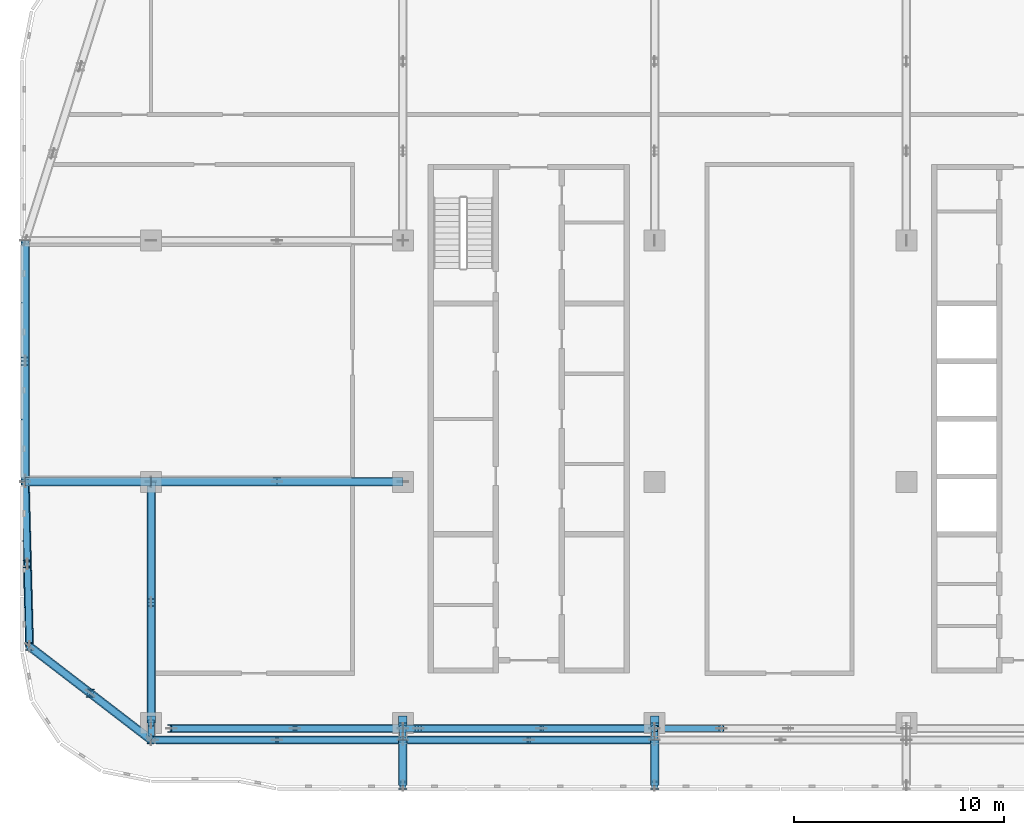
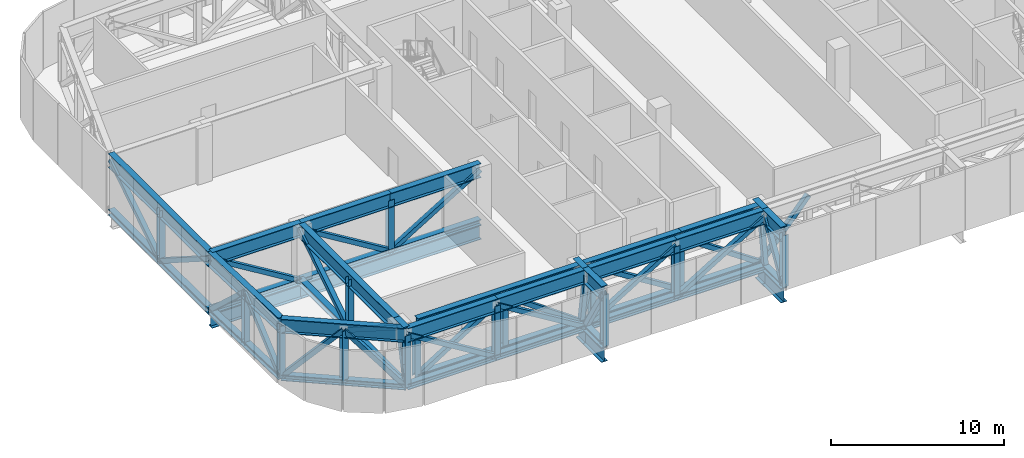
# One storey, part 4 of 29: 72 members, 6 beams.
"""IFC4 building model written with IfcOpenShell, lengths in metres."""

from ifc_helpers import new_model, si_unit, direction, frame, origin, origin_2d, place, context, subcontext, project, spatial, hollow_rectangle, i_section, extrude, material, material_profile, profile_set, type_object, element, save


model = new_model("IFC4")

# Units and contexts
model_context = context("Model", 3, precision=1e-05, world=origin(), true_north=direction((0.0, 1.0)))
body_context = subcontext(model_context, "Body", "Model", "MODEL_VIEW")
ifc_project = project(units=[si_unit("LENGTHUNIT", "METRE"), si_unit("AREAUNIT", "SQUARE_METRE"), si_unit("VOLUMEUNIT", "CUBIC_METRE"), si_unit("PLANEANGLEUNIT", "RADIAN"), si_unit("MASSUNIT", "GRAM", prefix="KILO")], contexts=[model_context])

# Site, building, storey
site_placement = place(None, origin())
site = spatial("IfcSite", under=ifc_project, at=site_placement, CompositionType="ELEMENT")
building_placement = place(site_placement, origin())
building = spatial("IfcBuilding", under=site, at=building_placement, Name="Mahtab Terrace Research Tower", CompositionType="ELEMENT")
storey_placement = place(building_placement, frame((0.0, 0.0, 259.0)))
storey = spatial("IfcBuildingStorey", under=building, at=storey_placement, Name="L63", CompositionType="ELEMENT", Elevation=259.0)

# Members
ifc_material_1 = material(Name="Steel ASTM A500 Gr C", Category="steel")
ifc_material_profile_1 = material_profile(ifc_material_1, hollow_rectangle(XDim=0.3046875, YDim=0.3046875, WallThickness=0.0126953125, at=origin_2d()), Name="HSS12X12X1/2")
ifc_profile_set_1 = profile_set([ifc_material_profile_1], Name="Steel ASTM A500 Gr C")
member_type_1 = type_object("IfcMemberType", Name="HSS 12x12x1/2 brace TD121212", PredefinedType="BRACE", material=ifc_profile_set_1)
member_1_placement = place(storey_placement, frame((-48.0, 0.0, -0.19677734375), z_axis=(0.018841099878, -0.7314806723, 0.681601818518), x_axis=(0.999668441044, 0.025748941367, 0.0)))
element("IfcMember", 1, at=member_1_placement, inside=storey, type_object=member_type_1, Name="Transfer truss T7 diagonal 001", PredefinedType="BRACE", context=body_context, shape_type="SweptSolid", body=[
    extrude(hollow_rectangle(XDim=0.3046875, YDim=0.3046875, WallThickness=0.0126953125, at=origin_2d()), origin(), (0.0, 0.0, 1.0), 5.364501953125),
])
member_2_placement = place(storey_placement, frame((-42.0, 0.0, -0.19677734375), z_axis=(-0.853925355754, 0.0, 0.520395509974), x_axis=(0.0, -1.0, 0.0)))
element("IfcMember", 2, at=member_2_placement, inside=storey, type_object=member_type_1, Name="Transfer truss T7 diagonal 002", PredefinedType="BRACE", context=body_context, shape_type="SweptSolid", body=[
    extrude(hollow_rectangle(XDim=0.3046875, YDim=0.3046875, WallThickness=0.0126953125, at=origin_2d()), origin(), (0.0, 0.0, 1.0), 7.0263671875),
])
for number, where, z_axis, x_axis, name in (
    (3, (-48.0, 5.75, -0.19677734375), (0.0, -0.843834053446, 0.536604221232), (1.0, 0.0, 0.0), "Transfer truss T7 diagonal 003"),
    (4, (-48.0, 5.75, -0.19677734375), (0.0, 0.843834053446, 0.536604221232), (-1.0, 0.0, 0.0), "Transfer truss T7 diagonal 004"),
):
    element("IfcMember", number, at=place(storey_placement, frame(where, z_axis=z_axis, x_axis=x_axis)), inside=storey, type_object=member_type_1, Name=name, PredefinedType="BRACE", context=body_context, shape_type="SweptSolid", body=[
        extrude(hollow_rectangle(XDim=0.3046875, YDim=0.3046875, WallThickness=0.0126953125, at=origin_2d()), origin(), (0.0, 0.0, 1.0), 6.814208984375),
    ])
member_3_placement = place(storey_placement, frame((-47.798095703125, -7.847900390625, -0.19677734375), z_axis=(-0.018796231783, 0.73146013853, 0.681625093004), x_axis=(-0.99966999901, -0.025688384121, 0.0)))
element("IfcMember", 5, at=member_3_placement, inside=storey, type_object=member_type_1, Name="Transfer truss T7 diagonal 006", PredefinedType="BRACE", context=body_context, shape_type="SweptSolid", body=[
    extrude(hollow_rectangle(XDim=0.3046875, YDim=0.3046875, WallThickness=0.0126953125, at=origin_2d()), origin(), (0.0, 0.0, 1.0), 5.3642578125),
])
member_4_placement = place(storey_placement, frame((-47.798095703125, -7.847900390625, -0.19677734375), z_axis=(0.560568165841, -0.43117723173, 0.707000372194), x_axis=(0.609684954239, 0.792643839675, 0.0)))
element("IfcMember", 6, at=member_4_placement, inside=storey, type_object=member_type_1, Name="Transfer truss T7 diagonal 007", PredefinedType="BRACE", context=body_context, shape_type="SweptSolid", body=[
    extrude(hollow_rectangle(XDim=0.3046875, YDim=0.3046875, WallThickness=0.0126953125, at=origin_2d()), origin(), (0.0, 0.0, 1.0), 5.171875),
])
member_5_placement = place(storey_placement, frame((-42.0, -12.306884765625, -0.19677734375), z_axis=(-0.560581427258, 0.43103490238, 0.707076641068), x_axis=(-0.609549424131, -0.792748068141, 0.0)))
element("IfcMember", 7, at=member_5_placement, inside=storey, type_object=member_type_1, Name="Transfer truss T7 diagonal 010", PredefinedType="BRACE", context=body_context, shape_type="SweptSolid", body=[
    extrude(hollow_rectangle(XDim=0.3046875, YDim=0.3046875, WallThickness=0.0126953125, at=origin_2d()), origin(), (0.0, 0.0, 1.0), 5.17138671875),
])
member_6_placement = place(storey_placement, frame((-36.0, -12.306884765625, -0.19677734375), z_axis=(-0.853925355754, 0.0, 0.520395509974), x_axis=(0.0, -1.0, 0.0)))
element("IfcMember", 8, at=member_6_placement, inside=storey, type_object=member_type_1, Name="Transfer truss T7 diagonal 012", PredefinedType="BRACE", context=body_context, shape_type="SweptSolid", body=[
    extrude(hollow_rectangle(XDim=0.3046875, YDim=0.3046875, WallThickness=0.0126953125, at=origin_2d()), origin(), (0.0, 0.0, 1.0), 7.0263671875),
])
member_7_placement = place(storey_placement, frame((-42.0, -12.306884765625, -0.19677734375), z_axis=(0.0, 0.215487374017, 0.976506626521), x_axis=(-1.0, 0.0, 0.0)))
element("IfcMember", 9, at=member_7_placement, inside=storey, type_object=member_type_1, Name="Transfer truss T7 diagonal 013", PredefinedType="BRACE", context=body_context, shape_type="SweptSolid", body=[
    extrude(hollow_rectangle(XDim=0.3046875, YDim=0.3046875, WallThickness=0.0126953125, at=origin_2d()), origin(), (0.0, 0.0, 1.0), 3.744384765625),
])
for number, where, z_axis, x_axis, name in (
    (10, (-42.0, -5.75, -0.19677734375), (0.0, -0.843834053446, 0.536604221232), (1.0, 0.0, 0.0), "Transfer truss T7 diagonal 014"),
    (11, (-42.0, -5.75, -0.19677734375), (0.0, 0.843834053446, 0.536604221232), (-1.0, 0.0, 0.0), "Transfer truss T7 diagonal 015"),
):
    element("IfcMember", number, at=place(storey_placement, frame(where, z_axis=z_axis, x_axis=x_axis)), inside=storey, type_object=member_type_1, Name=name, PredefinedType="BRACE", context=body_context, shape_type="SweptSolid", body=[
        extrude(hollow_rectangle(XDim=0.3046875, YDim=0.3046875, WallThickness=0.0126953125, at=origin_2d()), origin(), (0.0, 0.0, 1.0), 6.814208984375),
    ])
member_8_placement = place(storey_placement, frame((-36.0, 0.0, -0.19677734375), z_axis=(-0.853925355754, 0.0, 0.520395509974), x_axis=(0.0, -1.0, 0.0)))
element("IfcMember", 12, at=member_8_placement, inside=storey, type_object=member_type_1, Name="Transfer truss T7 diagonal 016", PredefinedType="BRACE", context=body_context, shape_type="SweptSolid", body=[
    extrude(hollow_rectangle(XDim=0.3046875, YDim=0.3046875, WallThickness=0.0126953125, at=origin_2d()), origin(), (0.0, 0.0, 1.0), 7.0263671875),
])
member_9_placement = place(storey_placement, frame((-41.02099609375, -11.758056640625, -0.19677734375), z_axis=(0.849113901535, 0.0, 0.528209789969), x_axis=(0.0, 1.0, 0.0)))
element("IfcMember", 13, at=member_9_placement, inside=storey, type_object=member_type_1, Name="Transfer truss T7 diagonal 019", PredefinedType="BRACE", context=body_context, shape_type="SweptSolid", body=[
    extrude(hollow_rectangle(XDim=0.3046875, YDim=0.3046875, WallThickness=0.0126953125, at=origin_2d()), origin(), (0.0, 0.0, 1.0), 6.92236328125),
])
for number, where, z_axis, x_axis, name in (
    (14, (-30.0, -12.306884765625, -0.19677734375), (-0.853925355754, 0.0, 0.520395509974), (0.0, -1.0, 0.0), "Transfer truss T7 diagonal 022"),
    (15, (-36.0, 0.0, -0.19677734375), (0.853925355754, 0.0, 0.520395509974), (0.0, 1.0, 0.0), "Transfer truss T7 diagonal 023"),
):
    element("IfcMember", number, at=place(storey_placement, frame(where, z_axis=z_axis, x_axis=x_axis)), inside=storey, type_object=member_type_1, Name=name, PredefinedType="BRACE", context=body_context, shape_type="SweptSolid", body=[
        extrude(hollow_rectangle(XDim=0.3046875, YDim=0.3046875, WallThickness=0.0126953125, at=origin_2d()), origin(), (0.0, 0.0, 1.0), 7.0263671875),
    ])
member_10_placement = place(storey_placement, frame((-30.0, -11.758056640625, -0.19677734375), z_axis=(-0.815015009124, 0.0, 0.579439845801), x_axis=(0.0, -1.0, 0.0)))
element("IfcMember", 16, at=member_10_placement, inside=storey, type_object=member_type_1, Name="Transfer truss T7 diagonal 026", PredefinedType="BRACE", context=body_context, shape_type="SweptSolid", body=[
    extrude(hollow_rectangle(XDim=0.3046875, YDim=0.3046875, WallThickness=0.0126953125, at=origin_2d()), origin(), (0.0, 0.0, 1.0), 6.310302734375),
])
member_11_placement = place(storey_placement, frame((-30.0, -12.306884765625, -0.19677734375), z_axis=(0.0, -0.50966381265, 0.860373638645), x_axis=(1.0, 0.0, 0.0)))
element("IfcMember", 17, at=member_11_placement, inside=storey, type_object=member_type_1, Name="Transfer truss T7 diagonal 028", PredefinedType="BRACE", context=body_context, shape_type="SweptSolid", body=[
    extrude(hollow_rectangle(XDim=0.3046875, YDim=0.3046875, WallThickness=0.0126953125, at=origin_2d()), origin(), (0.0, 0.0, 1.0), 4.25),
])
member_12_placement = place(storey_placement, frame((-30.0, -12.306884765625, -0.19677734375), z_axis=(0.853925355754, 0.0, 0.520395509974), x_axis=(0.0, 1.0, 0.0)))
element("IfcMember", 18, at=member_12_placement, inside=storey, type_object=member_type_1, Name="Transfer truss T7 diagonal 029", PredefinedType="BRACE", context=body_context, shape_type="SweptSolid", body=[
    extrude(hollow_rectangle(XDim=0.3046875, YDim=0.3046875, WallThickness=0.0126953125, at=origin_2d()), origin(), (0.0, 0.0, 1.0), 7.0263671875),
])
member_13_placement = place(storey_placement, frame((-30.0, -11.758056640625, -0.19677734375), z_axis=(0.0, -0.148434088087, 0.988922303062), x_axis=(1.0, 0.0, 0.0)))
element("IfcMember", 19, at=member_13_placement, inside=storey, type_object=member_type_1, Name="Transfer truss T7 diagonal 030", PredefinedType="BRACE", context=body_context, shape_type="SweptSolid", body=[
    extrude(hollow_rectangle(XDim=0.3046875, YDim=0.3046875, WallThickness=0.0126953125, at=origin_2d()), origin(), (0.0, 0.0, 1.0), 3.697509765625),
])
member_14_placement = place(storey_placement, frame((-30.0, -11.758056640625, -0.19677734375), z_axis=(0.196783313984, 0.0, 0.980447003839), x_axis=(0.0, 1.0, 0.0)))
element("IfcMember", 20, at=member_14_placement, inside=storey, type_object=member_type_1, Name="Transfer truss T7 diagonal 031", PredefinedType="BRACE", context=body_context, shape_type="SweptSolid", body=[
    extrude(hollow_rectangle(XDim=0.3046875, YDim=0.3046875, WallThickness=0.0126953125, at=origin_2d()), origin(), (0.0, 0.0, 1.0), 3.7294921875),
])
member_15_placement = place(storey_placement, frame((-23.387939453125, -11.758056640625, -0.19677734375), z_axis=(-0.84912374108, 0.0, 0.528193972262), x_axis=(0.0, -1.0, 0.0)))
element("IfcMember", 21, at=member_15_placement, inside=storey, type_object=member_type_1, Name="Transfer truss T7 diagonal 040", PredefinedType="BRACE", context=body_context, shape_type="SweptSolid", body=[
    extrude(hollow_rectangle(XDim=0.3046875, YDim=0.3046875, WallThickness=0.0126953125, at=origin_2d()), origin(), (0.0, 0.0, 1.0), 6.922607421875),
])
member_16_placement = place(storey_placement, frame((-24.0, -12.306884765625, -0.19677734375), z_axis=(0.853925355754, 0.0, 0.520395509974), x_axis=(0.0, 1.0, 0.0)))
element("IfcMember", 22, at=member_16_placement, inside=storey, type_object=member_type_1, Name="Transfer truss T7 diagonal 041", PredefinedType="BRACE", context=body_context, shape_type="SweptSolid", body=[
    extrude(hollow_rectangle(XDim=0.3046875, YDim=0.3046875, WallThickness=0.0126953125, at=origin_2d()), origin(), (0.0, 0.0, 1.0), 7.0263671875),
])
member_17_placement = place(storey_placement, frame((-18.0, -11.758056640625, -0.19677734375), z_axis=(-0.827447775907, 0.0, 0.561542677048), x_axis=(0.0, -1.0, 0.0)))
element("IfcMember", 23, at=member_17_placement, inside=storey, type_object=member_type_1, Name="Transfer truss T7 diagonal 044", PredefinedType="BRACE", context=body_context, shape_type="SweptSolid", body=[
    extrude(hollow_rectangle(XDim=0.3046875, YDim=0.3046875, WallThickness=0.0126953125, at=origin_2d()), origin(), (0.0, 0.0, 1.0), 6.511474609375),
])
member_18_placement = place(storey_placement, frame((-18.0, -14.472900390625, -0.19677734375), z_axis=(0.0, 0.50966381265, 0.860373638645), x_axis=(-1.0, 0.0, 0.0)))
element("IfcMember", 24, at=member_18_placement, inside=storey, type_object=member_type_1, Name="Transfer truss T7 diagonal 045", PredefinedType="BRACE", context=body_context, shape_type="SweptSolid", body=[
    extrude(hollow_rectangle(XDim=0.3046875, YDim=0.3046875, WallThickness=0.0126953125, at=origin_2d()), origin(), (0.0, 0.0, 1.0), 4.25),
])
member_19_placement = place(storey_placement, frame((-18.0, -12.306884765625, -0.19677734375), z_axis=(0.0, 0.148434088087, 0.988922303062), x_axis=(-1.0, 0.0, 0.0)))
element("IfcMember", 25, at=member_19_placement, inside=storey, type_object=member_type_1, Name="Transfer truss T7 diagonal 047", PredefinedType="BRACE", context=body_context, shape_type="SweptSolid", body=[
    extrude(hollow_rectangle(XDim=0.3046875, YDim=0.3046875, WallThickness=0.0126953125, at=origin_2d()), origin(), (0.0, 0.0, 1.0), 3.697509765625),
])
member_20_placement = place(storey_placement, frame((-18.0, -11.758056640625, -0.19677734375), z_axis=(0.656652340407, 0.0, 0.754193412751), x_axis=(0.0, 1.0, 0.0)))
element("IfcMember", 26, at=member_20_placement, inside=storey, type_object=member_type_1, Name="Transfer truss T7 diagonal 056", PredefinedType="BRACE", context=body_context, shape_type="SweptSolid", body=[
    extrude(hollow_rectangle(XDim=0.3046875, YDim=0.3046875, WallThickness=0.0126953125, at=origin_2d()), origin(), (0.0, 0.0, 1.0), 4.84814453125),
])
ifc_material_2 = material(Name="Steel ASTM A992 Gr 50", Category="steel")
ifc_material_profile_2 = material_profile(ifc_material_2, i_section(OverallWidth=0.373291015625, OverallDepth=0.373291015625, WebThickness=0.016357421875, FlangeThickness=0.026123046875, at=origin_2d()), Name="W14X132")
ifc_profile_set_2 = profile_set([ifc_material_profile_2], Name="Steel ASTM A992 Gr 50")
member_type_2 = type_object("IfcMemberType", Name="W14x132 post TP14132", PredefinedType="POST", material=ifc_profile_set_2)
for number, where, z_axis, x_axis, name in (
    (27, (-48.0, 5.75, -0.19677734375), (0.0, 0.0, 1.0), (1.0, 0.0, 0.0), "Transfer truss T7 post 002"),
    (28, (-47.89990234375, -3.919921875, -0.19677734375), (0.0, 0.0, 1.0), (1.0, 0.0, 0.0), "Transfer truss T7 post 004"),
    (29, (-47.800048828125, -7.85009765625, -0.19677734375), (0.0, 0.0, 1.0), (1.0, 0.0, 0.0), "Transfer truss T7 post 005"),
    (30, (-44.89990234375, -10.080078125, -0.19677734375), (0.0, 0.0, 1.0), (1.0, 0.0, 0.0), "Transfer truss T7 post 008"),
    (31, (-42.0, -12.31005859375, -0.19677734375), (0.0, 0.0, 1.0), (1.0, 0.0, 0.0), "Transfer truss T7 post 010"),
    (32, (-42.0, -5.75, -0.19677734375), (0.0, 0.0, 1.0), (1.0, 0.0, 0.0), "Transfer truss T7 post 012"),
    (33, (-41.02001953125, -11.760009765625, -0.19677734375), (0.0, 0.0, 1.0), (1.0, 0.0, 0.0), "Transfer truss T7 post 016"),
    (34, (-36.0, -12.31005859375, -0.19677734375), (0.0, 0.0, 1.0), (1.0, 0.0, 0.0), "Transfer truss T7 post 019"),
    (35, (-36.0, 0.0, -0.19677734375), (0.0, 0.0, 1.0), (1.0, 0.0, 0.0), "Transfer truss T7 post 020"),
    (36, (-35.139892578125, -11.760009765625, -0.19677734375), (0.0, 0.0, 1.0), (1.0, 0.0, 0.0), "Transfer truss T7 post 023"),
    (37, (-30.0, -14.469970703125, -0.19677734375), (0.0, 0.0, 1.0), (1.0, 0.0, 0.0), "Transfer truss T7 post 025"),
    (38, (-29.27001953125, -11.760009765625, -0.19677734375), (0.0, 0.0, 1.0), (1.0, 0.0, 0.0), "Transfer truss T7 post 036"),
    (39, (-24.0, -12.31005859375, -0.19677734375), (0.0, 0.0, 1.0), (1.0, 0.0, 0.0), "Transfer truss T7 post 037"),
    (40, (-23.389892578125, -11.760009765625, -0.19677734375), (0.0, 0.0, 1.0), (1.0, 0.0, 0.0), "Transfer truss T7 post 040"),
    (41, (-18.0, -14.469970703125, -0.19677734375), (0.0, 0.0, 1.0), (1.0, 0.0, 0.0), "Transfer truss T7 post 041"),
):
    element("IfcMember", number, at=place(storey_placement, frame(where, z_axis=z_axis, x_axis=x_axis)), inside=storey, type_object=member_type_2, Name=name, PredefinedType="POST", context=body_context, shape_type="SweptSolid", body=[
        extrude(i_section(OverallWidth=0.373291015625, OverallDepth=0.373291015625, WebThickness=0.016357421875, FlangeThickness=0.026123046875, at=origin_2d()), origin(), (0.0, 0.0, 1.0), 3.656494140625),
    ])
ifc_material_profile_3 = material_profile(ifc_material_2, i_section(OverallWidth=0.40380859375, OverallDepth=0.406494140625, WebThickness=0.027099609375, FlangeThickness=0.043701171875, at=origin_2d()), Name="W14X233")
ifc_profile_set_3 = profile_set([ifc_material_profile_3], Name="Steel ASTM A992 Gr 50")
member_type_3 = type_object("IfcMemberType", Name="W14x233 chord TC14233", PredefinedType="CHORD", material=ifc_profile_set_3)
member_21_placement = place(storey_placement, frame((-48.0, 11.5, -0.19677734375), z_axis=(0.0, -1.0, 0.0), x_axis=(1.0, 0.0, 0.0)))
element("IfcMember", 42, at=member_21_placement, inside=storey, type_object=member_type_3, Name="Transfer truss T7 bottom chord 001", PredefinedType="CHORD", context=body_context, shape_type="SweptSolid", body=[
    extrude(i_section(OverallWidth=0.40380859375, OverallDepth=0.406494140625, WebThickness=0.027099609375, FlangeThickness=0.043701171875, at=origin_2d()), origin(), (0.0, 0.0, 1.0), 11.5),
])
member_22_placement = place(storey_placement, frame((-48.0, 0.0, -0.19677734375), z_axis=(0.025718663721, -0.999669220461, 0.0), x_axis=(0.999669220461, 0.025718663721, 0.0)))
element("IfcMember", 43, at=member_22_placement, inside=storey, type_object=member_type_3, Name="Transfer truss T7 bottom chord 002", PredefinedType="CHORD", context=body_context, shape_type="SweptSolid", body=[
    extrude(i_section(OverallWidth=0.40380859375, OverallDepth=0.406494140625, WebThickness=0.027099609375, FlangeThickness=0.043701171875, at=origin_2d()), origin(), (0.0, 0.0, 1.0), 7.8505859375),
])
member_23_placement = place(storey_placement, frame((-48.0, 0.0, -0.19677734375), z_axis=(1.0, 0.0, 0.0), x_axis=(0.0, 1.0, 0.0)))
element("IfcMember", 44, at=member_23_placement, inside=storey, type_object=member_type_3, Name="Transfer truss T7 bottom chord 003", PredefinedType="CHORD", context=body_context, shape_type="SweptSolid", body=[
    extrude(i_section(OverallWidth=0.40380859375, OverallDepth=0.406494140625, WebThickness=0.027099609375, FlangeThickness=0.043701171875, at=origin_2d()), origin(), (0.0, 0.0, 1.0), 6.0),
])
member_24_placement = place(storey_placement, frame((-42.0, 0.0, -0.19677734375), z_axis=(1.0, 0.0, 0.0), x_axis=(0.0, 1.0, 0.0)))
element("IfcMember", 45, at=member_24_placement, inside=storey, type_object=member_type_3, Name="Transfer truss T7 bottom chord 004", PredefinedType="CHORD", context=body_context, shape_type="SweptSolid", body=[
    extrude(i_section(OverallWidth=0.40380859375, OverallDepth=0.406494140625, WebThickness=0.027099609375, FlangeThickness=0.043701171875, at=origin_2d()), origin(), (0.0, 0.0, 1.0), 12.0),
])
member_25_placement = place(storey_placement, frame((-47.798095703125, -7.847900390625, -0.19677734375), z_axis=(0.792695951184, -0.609617198721, 0.0), x_axis=(0.609617198721, 0.792695951184, 0.0)))
element("IfcMember", 46, at=member_25_placement, inside=storey, type_object=member_type_3, Name="Transfer truss T7 bottom chord 009", PredefinedType="CHORD", context=body_context, shape_type="SweptSolid", body=[
    extrude(i_section(OverallWidth=0.40380859375, OverallDepth=0.406494140625, WebThickness=0.027099609375, FlangeThickness=0.043701171875, at=origin_2d()), origin(), (0.0, 0.0, 1.0), 7.314453125),
])
for number, where, z_axis, x_axis, name in (
    (47, (-42.0, -12.306884765625, -0.19677734375), (1.0, 0.0, 0.0), (0.0, 1.0, 0.0), "Transfer truss T7 bottom chord 018"),
    (48, (-30.0, -12.306884765625, -0.19677734375), (1.0, 0.0, 0.0), (0.0, 1.0, 0.0), "Transfer truss T7 bottom chord 019"),
):
    element("IfcMember", number, at=place(storey_placement, frame(where, z_axis=z_axis, x_axis=x_axis)), inside=storey, type_object=member_type_3, Name=name, PredefinedType="CHORD", context=body_context, shape_type="SweptSolid", body=[
        extrude(i_section(OverallWidth=0.40380859375, OverallDepth=0.406494140625, WebThickness=0.027099609375, FlangeThickness=0.043701171875, at=origin_2d()), origin(), (0.0, 0.0, 1.0), 12.0),
    ])
member_26_placement = place(storey_placement, frame((-42.0, -11.5, -0.19677734375), z_axis=(0.0, 1.0, 0.0), x_axis=(-1.0, 0.0, 0.0)))
element("IfcMember", 49, at=member_26_placement, inside=storey, type_object=member_type_3, Name="Transfer truss T7 bottom chord 026", PredefinedType="CHORD", context=body_context, shape_type="SweptSolid", body=[
    extrude(i_section(OverallWidth=0.40380859375, OverallDepth=0.406494140625, WebThickness=0.027099609375, FlangeThickness=0.043701171875, at=origin_2d()), origin(), (0.0, 0.0, 1.0), 11.5),
])
member_27_placement = place(storey_placement, frame((-41.02099609375, -11.758056640625, -0.19677734375), z_axis=(1.0, 0.0, 0.0), x_axis=(0.0, 1.0, 0.0)))
element("IfcMember", 50, at=member_27_placement, inside=storey, type_object=member_type_3, Name="Transfer truss T7 bottom chord 035", PredefinedType="CHORD", context=body_context, shape_type="SweptSolid", body=[
    extrude(i_section(OverallWidth=0.40380859375, OverallDepth=0.406494140625, WebThickness=0.027099609375, FlangeThickness=0.043701171875, at=origin_2d()), origin(), (0.0, 0.0, 1.0), 11.02099609375),
])
member_28_placement = place(storey_placement, frame((-30.0, -11.758056640625, -0.19677734375), z_axis=(1.0, 0.0, 0.0), x_axis=(0.0, 1.0, 0.0)))
element("IfcMember", 51, at=member_28_placement, inside=storey, type_object=member_type_3, Name="Transfer truss T7 bottom chord 036", PredefinedType="CHORD", context=body_context, shape_type="SweptSolid", body=[
    extrude(i_section(OverallWidth=0.40380859375, OverallDepth=0.406494140625, WebThickness=0.027099609375, FlangeThickness=0.043701171875, at=origin_2d()), origin(), (0.0, 0.0, 1.0), 12.0),
])
for number, where, z_axis, x_axis, name in (
    (52, (-30.0, -14.472900390625, -0.19677734375), (0.0, 1.0, 0.0), (-1.0, 0.0, 0.0), "Transfer truss T7 bottom chord 044"),
    (53, (-18.0, -14.472900390625, -0.19677734375), (0.0, 1.0, 0.0), (-1.0, 0.0, 0.0), "Transfer truss T7 bottom chord 049"),
):
    element("IfcMember", number, at=place(storey_placement, frame(where, z_axis=z_axis, x_axis=x_axis)), inside=storey, type_object=member_type_3, Name=name, PredefinedType="CHORD", context=body_context, shape_type="SweptSolid", body=[
        extrude(i_section(OverallWidth=0.40380859375, OverallDepth=0.406494140625, WebThickness=0.027099609375, FlangeThickness=0.043701171875, at=origin_2d()), origin(), (0.0, 0.0, 1.0), 2.166015625),
    ])
ifc_material_profile_4 = material_profile(ifc_material_2, i_section(OverallWidth=0.4013671875, OverallDepth=1.000732421875, WebThickness=0.01904296875, FlangeThickness=0.0361328125, at=origin_2d()), Name="W40X249")
ifc_profile_set_4 = profile_set([ifc_material_profile_4], Name="Steel ASTM A992 Gr 50")
member_type_4 = type_object("IfcMemberType", Name="W40x249 chord TT40249", PredefinedType="CHORD", material=ifc_profile_set_4)
member_29_placement = place(storey_placement, frame((-48.0, 11.5, 3.459716796875), z_axis=(0.0, -1.0, 0.0), x_axis=(1.0, 0.0, 0.0)))
element("IfcMember", 54, at=member_29_placement, inside=storey, type_object=member_type_4, Name="Transfer truss T7 top chord 001", PredefinedType="CHORD", context=body_context, shape_type="SweptSolid", body=[
    extrude(i_section(OverallWidth=0.4013671875, OverallDepth=1.000732421875, WebThickness=0.01904296875, FlangeThickness=0.0361328125, at=origin_2d()), origin(), (0.0, 0.0, 1.0), 11.5),
])
member_30_placement = place(storey_placement, frame((-48.0, 0.0, 3.459716796875), z_axis=(0.025718663721, -0.999669220461, 0.0), x_axis=(0.999669220461, 0.025718663721, 0.0)))
element("IfcMember", 55, at=member_30_placement, inside=storey, type_object=member_type_4, Name="Transfer truss T7 top chord 002", PredefinedType="CHORD", context=body_context, shape_type="SweptSolid", body=[
    extrude(i_section(OverallWidth=0.4013671875, OverallDepth=1.000732421875, WebThickness=0.01904296875, FlangeThickness=0.0361328125, at=origin_2d()), origin(), (0.0, 0.0, 1.0), 7.8505859375),
])
for number, where, z_axis, x_axis, name in (
    (56, (-48.0, 0.0, 3.459716796875), (1.0, 0.0, 0.0), (0.0, 1.0, 0.0), "Transfer truss T7 top chord 003"),
    (57, (-42.0, 0.0, 3.459716796875), (1.0, 0.0, 0.0), (0.0, 1.0, 0.0), "Transfer truss T7 top chord 004"),
    (58, (-36.0, 0.0, 3.459716796875), (1.0, 0.0, 0.0), (0.0, 1.0, 0.0), "Transfer truss T7 top chord 005"),
):
    element("IfcMember", number, at=place(storey_placement, frame(where, z_axis=z_axis, x_axis=x_axis)), inside=storey, type_object=member_type_4, Name=name, PredefinedType="CHORD", context=body_context, shape_type="SweptSolid", body=[
        extrude(i_section(OverallWidth=0.4013671875, OverallDepth=1.000732421875, WebThickness=0.01904296875, FlangeThickness=0.0361328125, at=origin_2d()), origin(), (0.0, 0.0, 1.0), 6.0),
    ])
member_31_placement = place(storey_placement, frame((-47.798095703125, -7.847900390625, 3.459716796875), z_axis=(0.792695951184, -0.609617198721, 0.0), x_axis=(0.609617198721, 0.792695951184, 0.0)))
element("IfcMember", 59, at=member_31_placement, inside=storey, type_object=member_type_4, Name="Transfer truss T7 top chord 011", PredefinedType="CHORD", context=body_context, shape_type="SweptSolid", body=[
    extrude(i_section(OverallWidth=0.4013671875, OverallDepth=1.000732421875, WebThickness=0.01904296875, FlangeThickness=0.0361328125, at=origin_2d()), origin(), (0.0, 0.0, 1.0), 7.314453125),
])
for number, where, z_axis, x_axis, name in (
    (60, (-42.0, -12.306884765625, 3.459716796875), (1.0, 0.0, 0.0), (0.0, 1.0, 0.0), "Transfer truss T7 top chord 026"),
    (61, (-36.0, -12.306884765625, 3.459716796875), (1.0, 0.0, 0.0), (0.0, 1.0, 0.0), "Transfer truss T7 top chord 027"),
    (62, (-30.0, -12.306884765625, 3.459716796875), (1.0, 0.0, 0.0), (0.0, 1.0, 0.0), "Transfer truss T7 top chord 028"),
    (63, (-24.0, -12.306884765625, 3.459716796875), (1.0, 0.0, 0.0), (0.0, 1.0, 0.0), "Transfer truss T7 top chord 029"),
):
    element("IfcMember", number, at=place(storey_placement, frame(where, z_axis=z_axis, x_axis=x_axis)), inside=storey, type_object=member_type_4, Name=name, PredefinedType="CHORD", context=body_context, shape_type="SweptSolid", body=[
        extrude(i_section(OverallWidth=0.4013671875, OverallDepth=1.000732421875, WebThickness=0.01904296875, FlangeThickness=0.0361328125, at=origin_2d()), origin(), (0.0, 0.0, 1.0), 6.0),
    ])
member_32_placement = place(storey_placement, frame((-42.0, -12.306884765625, 3.459716796875), z_axis=(0.0, 1.0, 0.0), x_axis=(-1.0, 0.0, 0.0)))
element("IfcMember", 64, at=member_32_placement, inside=storey, type_object=member_type_4, Name="Transfer truss T7 top chord 040", PredefinedType="CHORD", context=body_context, shape_type="SweptSolid", body=[
    extrude(i_section(OverallWidth=0.4013671875, OverallDepth=1.000732421875, WebThickness=0.01904296875, FlangeThickness=0.0361328125, at=origin_2d()), origin(), (0.0, 0.0, 1.0), 1.15087890625),
])
member_33_placement = place(storey_placement, frame((-42.0, -11.5, 3.459716796875), z_axis=(0.0, 1.0, 0.0), x_axis=(-1.0, 0.0, 0.0)))
element("IfcMember", 65, at=member_33_placement, inside=storey, type_object=member_type_4, Name="Transfer truss T7 top chord 041", PredefinedType="CHORD", context=body_context, shape_type="SweptSolid", body=[
    extrude(i_section(OverallWidth=0.4013671875, OverallDepth=1.000732421875, WebThickness=0.01904296875, FlangeThickness=0.0361328125, at=origin_2d()), origin(), (0.0, 0.0, 1.0), 11.5),
])
member_34_placement = place(storey_placement, frame((-41.02099609375, -11.758056640625, 3.459716796875), z_axis=(1.0, 0.0, 0.0), x_axis=(0.0, 1.0, 0.0)))
element("IfcMember", 66, at=member_34_placement, inside=storey, type_object=member_type_4, Name="Transfer truss T7 top chord 056", PredefinedType="CHORD", context=body_context, shape_type="SweptSolid", body=[
    extrude(i_section(OverallWidth=0.4013671875, OverallDepth=1.000732421875, WebThickness=0.01904296875, FlangeThickness=0.0361328125, at=origin_2d()), origin(), (0.0, 0.0, 1.0), 11.02099609375),
])
member_35_placement = place(storey_placement, frame((-30.0, -11.758056640625, 3.459716796875), z_axis=(1.0, 0.0, 0.0), x_axis=(0.0, 1.0, 0.0)))
element("IfcMember", 67, at=member_35_placement, inside=storey, type_object=member_type_4, Name="Transfer truss T7 top chord 057", PredefinedType="CHORD", context=body_context, shape_type="SweptSolid", body=[
    extrude(i_section(OverallWidth=0.4013671875, OverallDepth=1.000732421875, WebThickness=0.01904296875, FlangeThickness=0.0361328125, at=origin_2d()), origin(), (0.0, 0.0, 1.0), 6.612060546875),
])
member_36_placement = place(storey_placement, frame((-23.387939453125, -11.758056640625, 3.459716796875), z_axis=(1.0, 0.0, 0.0), x_axis=(0.0, 1.0, 0.0)))
element("IfcMember", 68, at=member_36_placement, inside=storey, type_object=member_type_4, Name="Transfer truss T7 top chord 058", PredefinedType="CHORD", context=body_context, shape_type="SweptSolid", body=[
    extrude(i_section(OverallWidth=0.4013671875, OverallDepth=1.000732421875, WebThickness=0.01904296875, FlangeThickness=0.0361328125, at=origin_2d()), origin(), (0.0, 0.0, 1.0), 5.387939453125),
])
member_37_placement = place(storey_placement, frame((-30.0, -14.472900390625, 3.459716796875), z_axis=(0.0, 1.0, 0.0), x_axis=(-1.0, 0.0, 0.0)))
element("IfcMember", 69, at=member_37_placement, inside=storey, type_object=member_type_4, Name="Transfer truss T7 top chord 070", PredefinedType="CHORD", context=body_context, shape_type="SweptSolid", body=[
    extrude(i_section(OverallWidth=0.4013671875, OverallDepth=1.000732421875, WebThickness=0.01904296875, FlangeThickness=0.0361328125, at=origin_2d()), origin(), (0.0, 0.0, 1.0), 2.166015625),
])
member_38_placement = place(storey_placement, frame((-30.0, -12.306884765625, 3.459716796875), z_axis=(0.0, 1.0, 0.0), x_axis=(-1.0, 0.0, 0.0)))
element("IfcMember", 70, at=member_38_placement, inside=storey, type_object=member_type_4, Name="Transfer truss T7 top chord 071", PredefinedType="CHORD", context=body_context, shape_type="SweptSolid", body=[
    extrude(i_section(OverallWidth=0.4013671875, OverallDepth=1.000732421875, WebThickness=0.01904296875, FlangeThickness=0.0361328125, at=origin_2d()), origin(), (0.0, 0.0, 1.0), 1.15087890625),
])
member_39_placement = place(storey_placement, frame((-18.0, -14.472900390625, 3.459716796875), z_axis=(0.0, 1.0, 0.0), x_axis=(-1.0, 0.0, 0.0)))
element("IfcMember", 71, at=member_39_placement, inside=storey, type_object=member_type_4, Name="Transfer truss T7 top chord 075", PredefinedType="CHORD", context=body_context, shape_type="SweptSolid", body=[
    extrude(i_section(OverallWidth=0.4013671875, OverallDepth=1.000732421875, WebThickness=0.01904296875, FlangeThickness=0.0361328125, at=origin_2d()), origin(), (0.0, 0.0, 1.0), 2.166015625),
])
member_40_placement = place(storey_placement, frame((-18.0, -12.306884765625, 3.459716796875), z_axis=(0.0, 1.0, 0.0), x_axis=(-1.0, 0.0, 0.0)))
element("IfcMember", 72, at=member_40_placement, inside=storey, type_object=member_type_4, Name="Transfer truss T7 top chord 076", PredefinedType="CHORD", context=body_context, shape_type="SweptSolid", body=[
    extrude(i_section(OverallWidth=0.4013671875, OverallDepth=1.000732421875, WebThickness=0.01904296875, FlangeThickness=0.0361328125, at=origin_2d()), origin(), (0.0, 0.0, 1.0), 1.15087890625),
])

# Beams
ifc_material_profile_5 = material_profile(ifc_material_2, i_section(OverallWidth=0.4013671875, OverallDepth=1.000732421875, WebThickness=0.01904296875, FlangeThickness=0.0361328125, at=origin_2d()), Name="W40X249")
ifc_profile_set_5 = profile_set([ifc_material_profile_5], Name="Steel ASTM A992 Gr 50")
beam_type = type_object("IfcBeamType", Name="W40x249 transfer girder TG40249", PredefinedType="BEAM", material=ifc_profile_set_5)
beam_1_placement = place(storey_placement, frame((-48.0, 0.0, -0.8984375), z_axis=(1.0, 0.0, 0.0), x_axis=(0.0, 1.0, 0.0)))
element("IfcBeam", 73, at=beam_1_placement, inside=storey, type_object=beam_type, Name="Transfer girder T7 17", PredefinedType="BEAM", context=body_context, shape_type="SweptSolid", body=[
    extrude(i_section(OverallWidth=0.4013671875, OverallDepth=1.000732421875, WebThickness=0.01904296875, FlangeThickness=0.0361328125, at=origin_2d()), origin(), (0.0, 0.0, 1.0), 6.0),
])
beam_2_placement = place(storey_placement, frame((-42.0, 0.0, -0.8984375), z_axis=(1.0, 0.0, 0.0), x_axis=(0.0, 1.0, 0.0)))
element("IfcBeam", 74, at=beam_2_placement, inside=storey, type_object=beam_type, Name="Transfer girder T7 18", PredefinedType="BEAM", context=body_context, shape_type="SweptSolid", body=[
    extrude(i_section(OverallWidth=0.4013671875, OverallDepth=1.000732421875, WebThickness=0.01904296875, FlangeThickness=0.0361328125, at=origin_2d()), origin(), (0.0, 0.0, 1.0), 12.0),
])
beam_3_placement = place(storey_placement, frame((-30.0, -14.472900390625, -0.8984375), z_axis=(0.0, 1.0, 0.0), x_axis=(-1.0, 0.0, 0.0)))
element("IfcBeam", 75, at=beam_3_placement, inside=storey, type_object=beam_type, Name="Transfer girder T7 19", PredefinedType="BEAM", context=body_context, shape_type="SweptSolid", body=[
    extrude(i_section(OverallWidth=0.4013671875, OverallDepth=1.000732421875, WebThickness=0.01904296875, FlangeThickness=0.0361328125, at=origin_2d()), origin(), (0.0, 0.0, 1.0), 2.166015625),
])
beam_4_placement = place(storey_placement, frame((-30.0, -12.306884765625, -0.8984375), z_axis=(0.0, 1.0, 0.0), x_axis=(-1.0, 0.0, 0.0)))
element("IfcBeam", 76, at=beam_4_placement, inside=storey, type_object=beam_type, Name="Transfer girder T7 20", PredefinedType="BEAM", context=body_context, shape_type="SweptSolid", body=[
    extrude(i_section(OverallWidth=0.4013671875, OverallDepth=1.000732421875, WebThickness=0.01904296875, FlangeThickness=0.0361328125, at=origin_2d()), origin(), (0.0, 0.0, 1.0), 0.806884765625),
])
beam_5_placement = place(storey_placement, frame((-18.0, -14.472900390625, -0.8984375), z_axis=(0.0, 1.0, 0.0), x_axis=(-1.0, 0.0, 0.0)))
element("IfcBeam", 77, at=beam_5_placement, inside=storey, type_object=beam_type, Name="Transfer girder T7 21", PredefinedType="BEAM", context=body_context, shape_type="SweptSolid", body=[
    extrude(i_section(OverallWidth=0.4013671875, OverallDepth=1.000732421875, WebThickness=0.01904296875, FlangeThickness=0.0361328125, at=origin_2d()), origin(), (0.0, 0.0, 1.0), 2.166015625),
])
beam_6_placement = place(storey_placement, frame((-18.0, -12.306884765625, -0.8984375), z_axis=(0.0, 1.0, 0.0), x_axis=(-1.0, 0.0, 0.0)))
element("IfcBeam", 78, at=beam_6_placement, inside=storey, type_object=beam_type, Name="Transfer girder T7 22", PredefinedType="BEAM", context=body_context, shape_type="SweptSolid", body=[
    extrude(i_section(OverallWidth=0.4013671875, OverallDepth=1.000732421875, WebThickness=0.01904296875, FlangeThickness=0.0361328125, at=origin_2d()), origin(), (0.0, 0.0, 1.0), 0.806884765625),
])

save(model, "model.ifc")
